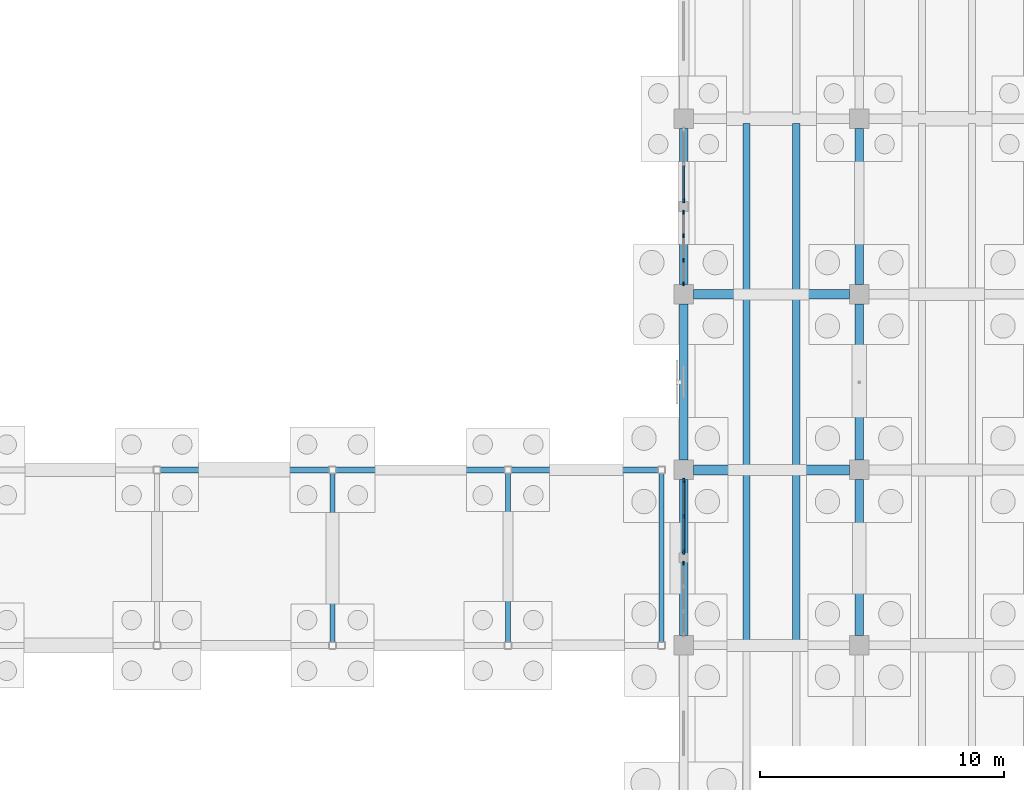
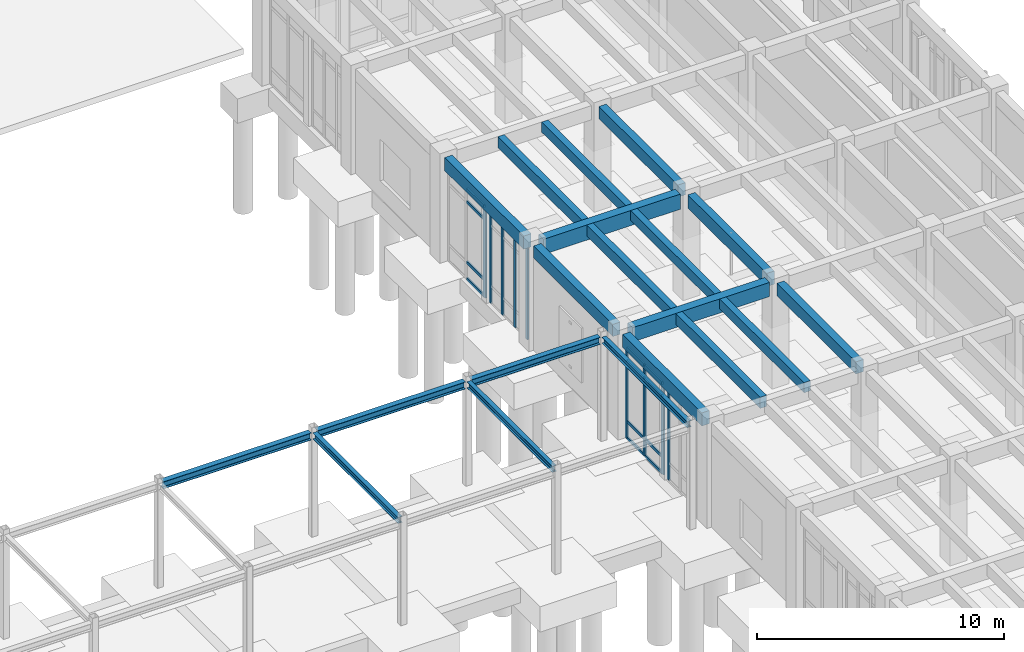
# One storey, part 39 of 93: 21 members, 20 beams, 4 elements without a shape of their own.
"""IFC4 building model written with IfcOpenShell, lengths in metres."""

from ifc_helpers import new_model, si_unit, direction, frame, origin, origin_2d, place, context, subcontext, project, spatial, rectangle, i_section, extrude, material, layer, layer_set, material_profile, profile_set, type_object, element, aggregate, save


model = new_model("IFC4")

# Units and contexts
model_context = context("Model", 3, precision=1e-05, world=origin(), true_north=direction((0.0, 1.0)))
body_context = subcontext(model_context, "Body", "Model", "MODEL_VIEW")
ifc_project = project(units=[si_unit("LENGTHUNIT", "METRE"), si_unit("AREAUNIT", "SQUARE_METRE"), si_unit("VOLUMEUNIT", "CUBIC_METRE"), si_unit("PLANEANGLEUNIT", "RADIAN"), si_unit("MASSUNIT", "GRAM", prefix="KILO")], contexts=[model_context])

# Site, building, storey
site_placement = place(None, origin())
site = spatial("IfcSite", under=ifc_project, at=site_placement, CompositionType="ELEMENT")
building_placement = place(site_placement, origin())
building = spatial("IfcBuilding", under=site, at=building_placement, Name="Koriwan Promenade Central Fire Station", CompositionType="ELEMENT")
storey_placement = place(building_placement, origin())
storey = spatial("IfcBuildingStorey", under=building, at=storey_placement, Name="L00", CompositionType="ELEMENT", Elevation=0.0)

# Beams
ifc_material_1 = material(Name="Concrete C35/45", Category="concrete")
ifc_material_profile_1 = material_profile(ifc_material_1, rectangle(XDim=0.300048828125, YDim=0.5, at=origin_2d()), Name="RC-BM-300x500")
ifc_profile_set_1 = profile_set([ifc_material_profile_1], Name="Concrete C35/45")
beam_type_1 = type_object("IfcBeamType", Name="Beam_RC-BM-300x500", PredefinedType="JOIST", material=ifc_profile_set_1)
beam_1_placement = place(storey_placement, frame((155.823974609375, 43.375, 4.89990234375), z_axis=(0.0, 1.0, 0.0), x_axis=(-1.0, 0.0, 0.0)))
element("IfcBeam", 1, at=beam_1_placement, inside=storey, type_object=beam_type_1, Name="V5 L00 secondary joist 595", PredefinedType="JOIST", context=body_context, shape_type="SweptSolid", body=[
    extrude(rectangle(XDim=0.300048828125, YDim=0.5, at=origin_2d()), origin(), (0.0, 0.0, 1.0), 6.824951171875),
])
beam_2_placement = place(storey_placement, frame((155.823974609375, 50.60009765625, 4.89990234375), z_axis=(0.0, 1.0, 0.0), x_axis=(-1.0, 0.0, 0.0)))
element("IfcBeam", 2, at=beam_2_placement, inside=storey, type_object=beam_type_1, Name="V5 L00 secondary joist 601", PredefinedType="JOIST", context=body_context, shape_type="SweptSolid", body=[
    extrude(rectangle(XDim=0.300048828125, YDim=0.5, at=origin_2d()), origin(), (0.0, 0.0, 1.0), 6.7998046875),
])
beam_3_placement = place(storey_placement, frame((155.823974609375, 57.800048828125, 4.89990234375), z_axis=(0.0, 1.0, 0.0), x_axis=(-1.0, 0.0, 0.0)))
element("IfcBeam", 3, at=beam_3_placement, inside=storey, type_object=beam_type_1, Name="V5 L00 secondary joist 607", PredefinedType="JOIST", context=body_context, shape_type="SweptSolid", body=[
    extrude(rectangle(XDim=0.300048828125, YDim=0.5, at=origin_2d()), origin(), (0.0, 0.0, 1.0), 6.800048828125),
])
ifc_material_profile_2 = material_profile(ifc_material_1, rectangle(XDim=0.300048828125, YDim=0.550048828125, at=origin_2d()), Name="RC-BM-300x550")
ifc_profile_set_2 = profile_set([ifc_material_profile_2], Name="Concrete C35/45")
beam_type_2 = type_object("IfcBeamType", Name="Beam_RC-BM-300x550", PredefinedType="JOIST", material=ifc_profile_set_2)
beam_4_placement = place(storey_placement, frame((153.77587890625, 43.375, 4.875), z_axis=(0.0, 1.0, 0.0), x_axis=(-1.0, 0.0, 0.0)))
element("IfcBeam", 4, at=beam_4_placement, inside=storey, type_object=beam_type_2, Name="V5 L00 secondary joist 594", PredefinedType="JOIST", context=body_context, shape_type="SweptSolid", body=[
    extrude(rectangle(XDim=0.300048828125, YDim=0.550048828125, at=origin_2d()), origin(), (0.0, 0.0, 1.0), 6.824951171875),
])
beam_5_placement = place(storey_placement, frame((153.77587890625, 50.60009765625, 4.875), z_axis=(0.0, 1.0, 0.0), x_axis=(-1.0, 0.0, 0.0)))
element("IfcBeam", 5, at=beam_5_placement, inside=storey, type_object=beam_type_2, Name="V5 L00 secondary joist 600", PredefinedType="JOIST", context=body_context, shape_type="SweptSolid", body=[
    extrude(rectangle(XDim=0.300048828125, YDim=0.550048828125, at=origin_2d()), origin(), (0.0, 0.0, 1.0), 6.7998046875),
])
beam_6_placement = place(storey_placement, frame((153.77587890625, 57.800048828125, 4.875), z_axis=(0.0, 1.0, 0.0), x_axis=(-1.0, 0.0, 0.0)))
element("IfcBeam", 6, at=beam_6_placement, inside=storey, type_object=beam_type_2, Name="V5 L00 secondary joist 606", PredefinedType="JOIST", context=body_context, shape_type="SweptSolid", body=[
    extrude(rectangle(XDim=0.300048828125, YDim=0.550048828125, at=origin_2d()), origin(), (0.0, 0.0, 1.0), 6.800048828125),
])
ifc_material_profile_3 = material_profile(ifc_material_1, rectangle(XDim=0.35009765625, YDim=0.60009765625, at=origin_2d()), Name="RC-BM-350x600")
ifc_profile_set_3 = profile_set([ifc_material_profile_3], Name="Concrete C35/45")
beam_type_3 = type_object("IfcBeamType", Name="Beam_RC-BM-350x600", PredefinedType="BEAM", material=ifc_profile_set_3)
for number, where, z_axis, x_axis, name in (
    (7, (151.199951171875, 50.800048828125, 4.85009765625), (0.0, 1.0, 0.0), (-1.0, 0.0, 0.0), "V5 L00 girder Y-526"),
    (8, (158.39990234375, 43.60009765625, 4.85009765625), (0.0, 1.0, 0.0), (-1.0, 0.0, 0.0), "V5 L00 girder Y-536"),
    (9, (158.39990234375, 58.0, 4.85009765625), (0.0, 1.0, 0.0), (-1.0, 0.0, 0.0), "V5 L00 girder Y-538"),
):
    element("IfcBeam", number, at=place(storey_placement, frame(where, z_axis=z_axis, x_axis=x_axis)), inside=storey, type_object=beam_type_3, Name=name, PredefinedType="BEAM", context=body_context, shape_type="SweptSolid", body=[
        extrude(rectangle(XDim=0.35009765625, YDim=0.60009765625, at=origin_2d()), origin(), (0.0, 0.0, 1.0), 6.39990234375),
    ])
ifc_material_profile_4 = material_profile(ifc_material_1, rectangle(XDim=0.35009765625, YDim=0.64990234375, at=origin_2d()), Name="RC-BM-350x650")
ifc_profile_set_4 = profile_set([ifc_material_profile_4], Name="Concrete C35/45")
beam_type_4 = type_object("IfcBeamType", Name="Beam_RC-BM-350x650", PredefinedType="BEAM", material=ifc_profile_set_4)
for number, where, z_axis, x_axis, name in (
    (10, (151.199951171875, 43.60009765625, 4.824951171875), (0.0, 1.0, 0.0), (-1.0, 0.0, 0.0), "V5 L00 girder Y-525"),
    (11, (151.199951171875, 58.0, 4.824951171875), (0.0, 1.0, 0.0), (-1.0, 0.0, 0.0), "V5 L00 girder Y-527"),
    (12, (158.39990234375, 50.800048828125, 4.824951171875), (0.0, 1.0, 0.0), (-1.0, 0.0, 0.0), "V5 L00 girder Y-537"),
):
    element("IfcBeam", number, at=place(storey_placement, frame(where, z_axis=z_axis, x_axis=x_axis)), inside=storey, type_object=beam_type_4, Name=name, PredefinedType="BEAM", context=body_context, shape_type="SweptSolid", body=[
        extrude(rectangle(XDim=0.35009765625, YDim=0.64990234375, at=origin_2d()), origin(), (0.0, 0.0, 1.0), 6.39990234375),
    ])
ifc_material_profile_5 = material_profile(ifc_material_1, rectangle(XDim=0.39990234375, YDim=0.699951171875, at=origin_2d()), Name="RC-BM-400x700")
ifc_profile_set_5 = profile_set([ifc_material_profile_5], Name="Concrete C35/45")
beam_type_5 = type_object("IfcBeamType", Name="Beam_RC-BM-400x700", PredefinedType="BEAM", material=ifc_profile_set_5)
beam_7_placement = place(storey_placement, frame((151.60009765625, 50.39990234375, 4.800048828125), z_axis=(1.0, 0.0, 0.0), x_axis=(0.0, 1.0, 0.0)))
element("IfcBeam", 13, at=beam_7_placement, inside=storey, type_object=beam_type_5, Name="V5 L00 girder X-502", PredefinedType="BEAM", context=body_context, shape_type="SweptSolid", body=[
    extrude(rectangle(XDim=0.39990234375, YDim=0.699951171875, at=origin_2d()), origin(), (0.0, 0.0, 1.0), 6.39990234375),
])
ifc_material_profile_6 = material_profile(ifc_material_1, rectangle(XDim=0.39990234375, YDim=0.75, at=origin_2d()), Name="RC-BM-400x750")
ifc_profile_set_6 = profile_set([ifc_material_profile_6], Name="Concrete C35/45")
beam_type_6 = type_object("IfcBeamType", Name="Beam_RC-BM-400x750", PredefinedType="BEAM", material=ifc_profile_set_6)
beam_8_placement = place(storey_placement, frame((151.60009765625, 57.60009765625, 4.77490234375), z_axis=(1.0, 0.0, 0.0), x_axis=(0.0, 1.0, 0.0)))
element("IfcBeam", 14, at=beam_8_placement, inside=storey, type_object=beam_type_6, Name="V5 L00 girder X-505", PredefinedType="BEAM", context=body_context, shape_type="SweptSolid", body=[
    extrude(rectangle(XDim=0.39990234375, YDim=0.75, at=origin_2d()), origin(), (0.0, 0.0, 1.0), 6.39990234375),
])

# Curtain wall, member
ifc_material_2 = material(Name="Aluminium EN AW-6063-T6 and low-E glazing", Category="aluminium")
ifc_layer_1 = layer(ifc_material_2, 0.159912109375, Name="Aluminium EN AW-6063-T6 and low-E glazing")
ifc_layer_set_1 = layer_set([ifc_layer_1], Name="Aluminium EN AW-6063-T6 and low-E glazing")
curtain_wall_type_1 = type_object("IfcCurtainWallType", Name="CurtainWall_51_300x449", PredefinedType="USERDEFINED", material=ifc_layer_set_1)
curtain_wall_1_placement = place(storey_placement, origin())
curtain_wall_1 = element("IfcCurtainWall", 15, at=curtain_wall_1_placement, inside=storey, type_object=curtain_wall_type_1, Name="V5 L00 unitised curtain wall 139", ObjectType="UNITISED CURTAIN WALL", PredefinedType="USERDEFINED")
ifc_material_3 = material(Name="Aluminium EN AW-6063-T6", Category="aluminium")
ifc_material_profile_7 = material_profile(ifc_material_3, rectangle(XDim=0.06494140625, YDim=0.159912109375, at=origin_2d()), Name="ALU-MUL-65x160")
ifc_profile_set_7 = profile_set([ifc_material_profile_7], Name="Aluminium EN AW-6063-T6")
member_type_1 = type_object("IfcMemberType", Name="CWMullion_ALU-MUL-65x160", PredefinedType="MULLION", material=ifc_profile_set_7)
member_1_placement = place(storey_placement, frame((151.199951171875, 46.5673828125, 0.0), z_axis=(0.0, 0.0, 1.0), x_axis=(-1.0, 0.0, 0.0)))
member_1 = element("IfcMember", 16, at=member_1_placement, type_object=member_type_1, Name="CW-51 mullion 4", PredefinedType="MULLION", context=body_context, shape_type="SweptSolid", body=[
    extrude(rectangle(XDim=0.06494140625, YDim=0.159912109375, at=origin_2d()), origin(), (0.0, 0.0, 1.0), 4.489990234375),
])
aggregate(curtain_wall_1, [member_1])

# Curtain wall, members
curtain_wall_2_placement = place(storey_placement, origin())
curtain_wall_2 = element("IfcCurtainWall", 17, at=curtain_wall_2_placement, inside=storey, type_object=curtain_wall_type_1, Name="V5 L00 unitised curtain wall 141", ObjectType="UNITISED CURTAIN WALL", PredefinedType="USERDEFINED")
member_2_placement = place(storey_placement, frame((151.199951171875, 58.032470703125, 0.0), z_axis=(0.0, 0.0, 1.0), x_axis=(-1.0, 0.0, 0.0)))
member_2 = element("IfcMember", 18, at=member_2_placement, type_object=member_type_1, Name="CW-51 mullion 1", PredefinedType="MULLION", context=body_context, shape_type="SweptSolid", body=[
    extrude(rectangle(XDim=0.06494140625, YDim=0.159912109375, at=origin_2d()), origin(), (0.0, 0.0, 1.0), 4.489990234375),
])
member_3_placement = place(storey_placement, frame((151.199951171875, 59.0, 0.0), z_axis=(0.0, 0.0, 1.0), x_axis=(-1.0, 0.0, 0.0)))
member_3 = element("IfcMember", 19, at=member_3_placement, type_object=member_type_1, Name="CW-51 mullion 2", PredefinedType="MULLION", context=body_context, shape_type="SweptSolid", body=[
    extrude(rectangle(XDim=0.06494140625, YDim=0.159912109375, at=origin_2d()), origin(), (0.0, 0.0, 1.0), 4.489990234375),
])
member_4_placement = place(storey_placement, frame((151.199951171875, 60.0, 0.0), z_axis=(0.0, 0.0, 1.0), x_axis=(-1.0, 0.0, 0.0)))
member_4 = element("IfcMember", 20, at=member_4_placement, type_object=member_type_1, Name="CW-51 mullion 3", PredefinedType="MULLION", context=body_context, shape_type="SweptSolid", body=[
    extrude(rectangle(XDim=0.06494140625, YDim=0.159912109375, at=origin_2d()), origin(), (0.0, 0.0, 1.0), 4.489990234375),
])
member_5_placement = place(storey_placement, frame((151.199951171875, 60.967529296875, 0.0), z_axis=(0.0, 0.0, 1.0), x_axis=(-1.0, 0.0, 0.0)))
member_5 = element("IfcMember", 21, at=member_5_placement, type_object=member_type_1, Name="CW-51 mullion 4", PredefinedType="MULLION", context=body_context, shape_type="SweptSolid", body=[
    extrude(rectangle(XDim=0.06494140625, YDim=0.159912109375, at=origin_2d()), origin(), (0.0, 0.0, 1.0), 4.489990234375),
])
aggregate(curtain_wall_2, [member_2, member_3, member_4, member_5])

ifc_layer_2 = layer(ifc_material_2, 0.159912109375, Name="Aluminium EN AW-6063-T6 and low-E glazing")
ifc_layer_set_2 = layer_set([ifc_layer_2], Name="Aluminium EN AW-6063-T6 and low-E glazing")
curtain_wall_type_2 = type_object("IfcCurtainWallType", Name="CurtainWall_52_300x449", PredefinedType="USERDEFINED", material=ifc_layer_set_2)
curtain_wall_3_placement = place(storey_placement, origin())
curtain_wall_3 = element("IfcCurtainWall", 22, at=curtain_wall_3_placement, inside=storey, type_object=curtain_wall_type_2, Name="V5 L00 unitised curtain wall 140", ObjectType="UNITISED CURTAIN WALL", PredefinedType="USERDEFINED")
ifc_material_profile_8 = material_profile(ifc_material_3, rectangle(XDim=0.074951171875, YDim=0.179931640625, at=origin_2d()), Name="ALU-MUL-75x180")
ifc_profile_set_8 = profile_set([ifc_material_profile_8], Name="Aluminium EN AW-6063-T6")
member_type_2 = type_object("IfcMemberType", Name="CWMullion_ALU-MUL-75x180", PredefinedType="MULLION", material=ifc_profile_set_8)
member_6_placement = place(storey_placement, frame((151.199951171875, 47.03759765625, 0.0), z_axis=(0.0, 0.0, 1.0), x_axis=(-1.0, 0.0, 0.0)))
member_6 = element("IfcMember", 23, at=member_6_placement, type_object=member_type_2, Name="CW-52 mullion 1", PredefinedType="MULLION", context=body_context, shape_type="SweptSolid", body=[
    extrude(rectangle(XDim=0.074951171875, YDim=0.179931640625, at=origin_2d()), origin(), (0.0, 0.0, 1.0), 4.489990234375),
])
member_7_placement = place(storey_placement, frame((151.199951171875, 48.5, 0.0), z_axis=(0.0, 0.0, 1.0), x_axis=(-1.0, 0.0, 0.0)))
member_7 = element("IfcMember", 24, at=member_7_placement, type_object=member_type_2, Name="CW-52 mullion 2", PredefinedType="MULLION", context=body_context, shape_type="SweptSolid", body=[
    extrude(rectangle(XDim=0.074951171875, YDim=0.179931640625, at=origin_2d()), origin(), (0.0, 0.0, 1.0), 4.489990234375),
])
member_8_placement = place(storey_placement, frame((151.199951171875, 49.96240234375, 0.0), z_axis=(0.0, 0.0, 1.0), x_axis=(-1.0, 0.0, 0.0)))
member_8 = element("IfcMember", 25, at=member_8_placement, type_object=member_type_2, Name="CW-52 mullion 3", PredefinedType="MULLION", context=body_context, shape_type="SweptSolid", body=[
    extrude(rectangle(XDim=0.074951171875, YDim=0.179931640625, at=origin_2d()), origin(), (0.0, 0.0, 1.0), 4.489990234375),
])

# Curtain wall, member
curtain_wall_4_placement = place(storey_placement, origin())
curtain_wall_4 = element("IfcCurtainWall", 26, at=curtain_wall_4_placement, inside=storey, type_object=curtain_wall_type_2, Name="V5 L00 unitised curtain wall 142", ObjectType="UNITISED CURTAIN WALL", PredefinedType="USERDEFINED")
member_9_placement = place(storey_placement, frame((151.199951171875, 61.4375, 0.0), z_axis=(0.0, 0.0, 1.0), x_axis=(-1.0, 0.0, 0.0)))
member_9 = element("IfcMember", 27, at=member_9_placement, type_object=member_type_2, Name="CW-52 mullion 1", PredefinedType="MULLION", context=body_context, shape_type="SweptSolid", body=[
    extrude(rectangle(XDim=0.074951171875, YDim=0.179931640625, at=origin_2d()), origin(), (0.0, 0.0, 1.0), 4.489990234375),
])

# Member
ifc_material_profile_9 = material_profile(ifc_material_3, rectangle(XDim=0.074951171875, YDim=0.139892578125, at=origin_2d()), Name="ALU-TRN-75x140")
ifc_profile_set_9 = profile_set([ifc_material_profile_9], Name="Aluminium EN AW-6063-T6")
member_type_3 = type_object("IfcMemberType", Name="CWTransom_ALU-TRN-75x140", PredefinedType="USERDEFINED", material=ifc_profile_set_9)
member_10_placement = place(storey_placement, frame((151.199951171875, 47.074951171875, 0.03759765625), z_axis=(0.0, 1.0, 0.0), x_axis=(-1.0, 0.0, 0.0)))
member_10 = element("IfcMember", 28, at=member_10_placement, type_object=member_type_3, Name="CW-52 transom 1.1", ObjectType="TRANSOM", PredefinedType="USERDEFINED", context=body_context, shape_type="SweptSolid", body=[
    extrude(rectangle(XDim=0.074951171875, YDim=0.139892578125, at=origin_2d()), origin(), (0.0, 0.0, 1.0), 1.387451171875),
])

member_11_placement = place(storey_placement, frame((151.199951171875, 47.074951171875, 0.85009765625), z_axis=(0.0, 1.0, 0.0), x_axis=(-1.0, 0.0, 0.0)))
member_11 = element("IfcMember", 29, at=member_11_placement, type_object=member_type_3, Name="CW-52 transom 1.2", ObjectType="TRANSOM", PredefinedType="USERDEFINED", context=body_context, shape_type="SweptSolid", body=[
    extrude(rectangle(XDim=0.074951171875, YDim=0.139892578125, at=origin_2d()), origin(), (0.0, 0.0, 1.0), 1.387451171875),
])

member_12_placement = place(storey_placement, frame((151.199951171875, 47.074951171875, 3.840087890625), z_axis=(0.0, 1.0, 0.0), x_axis=(-1.0, 0.0, 0.0)))
member_12 = element("IfcMember", 30, at=member_12_placement, type_object=member_type_3, Name="CW-52 transom 1.3", ObjectType="TRANSOM", PredefinedType="USERDEFINED", context=body_context, shape_type="SweptSolid", body=[
    extrude(rectangle(XDim=0.074951171875, YDim=0.139892578125, at=origin_2d()), origin(), (0.0, 0.0, 1.0), 1.387451171875),
])

member_13_placement = place(storey_placement, frame((151.199951171875, 47.074951171875, 4.452392578125), z_axis=(0.0, 1.0, 0.0), x_axis=(-1.0, 0.0, 0.0)))
member_13 = element("IfcMember", 31, at=member_13_placement, type_object=member_type_3, Name="CW-52 transom 1.4", ObjectType="TRANSOM", PredefinedType="USERDEFINED", context=body_context, shape_type="SweptSolid", body=[
    extrude(rectangle(XDim=0.074951171875, YDim=0.139892578125, at=origin_2d()), origin(), (0.0, 0.0, 1.0), 1.387451171875),
])

member_14_placement = place(storey_placement, frame((151.199951171875, 48.53759765625, 0.03759765625), z_axis=(0.0, 1.0, 0.0), x_axis=(-1.0, 0.0, 0.0)))
member_14 = element("IfcMember", 32, at=member_14_placement, type_object=member_type_3, Name="CW-52 transom 2.1", ObjectType="TRANSOM", PredefinedType="USERDEFINED", context=body_context, shape_type="SweptSolid", body=[
    extrude(rectangle(XDim=0.074951171875, YDim=0.139892578125, at=origin_2d()), origin(), (0.0, 0.0, 1.0), 1.387451171875),
])

member_15_placement = place(storey_placement, frame((151.199951171875, 48.53759765625, 0.85009765625), z_axis=(0.0, 1.0, 0.0), x_axis=(-1.0, 0.0, 0.0)))
member_15 = element("IfcMember", 33, at=member_15_placement, type_object=member_type_3, Name="CW-52 transom 2.2", ObjectType="TRANSOM", PredefinedType="USERDEFINED", context=body_context, shape_type="SweptSolid", body=[
    extrude(rectangle(XDim=0.074951171875, YDim=0.139892578125, at=origin_2d()), origin(), (0.0, 0.0, 1.0), 1.387451171875),
])

member_16_placement = place(storey_placement, frame((151.199951171875, 48.53759765625, 3.840087890625), z_axis=(0.0, 1.0, 0.0), x_axis=(-1.0, 0.0, 0.0)))
member_16 = element("IfcMember", 34, at=member_16_placement, type_object=member_type_3, Name="CW-52 transom 2.3", ObjectType="TRANSOM", PredefinedType="USERDEFINED", context=body_context, shape_type="SweptSolid", body=[
    extrude(rectangle(XDim=0.074951171875, YDim=0.139892578125, at=origin_2d()), origin(), (0.0, 0.0, 1.0), 1.387451171875),
])

member_17_placement = place(storey_placement, frame((151.199951171875, 48.53759765625, 4.452392578125), z_axis=(0.0, 1.0, 0.0), x_axis=(-1.0, 0.0, 0.0)))
member_17 = element("IfcMember", 35, at=member_17_placement, type_object=member_type_3, Name="CW-52 transom 2.4", ObjectType="TRANSOM", PredefinedType="USERDEFINED", context=body_context, shape_type="SweptSolid", body=[
    extrude(rectangle(XDim=0.074951171875, YDim=0.139892578125, at=origin_2d()), origin(), (0.0, 0.0, 1.0), 1.387451171875),
])

aggregate(curtain_wall_3, [member_6, member_7, member_8, member_10, member_11, member_12, member_13, member_14, member_15, member_16, member_17])

member_18_placement = place(storey_placement, frame((151.199951171875, 61.47509765625, 0.03759765625), z_axis=(0.0, 1.0, 0.0), x_axis=(-1.0, 0.0, 0.0)))
member_18 = element("IfcMember", 36, at=member_18_placement, type_object=member_type_3, Name="CW-52 transom 1.1", ObjectType="TRANSOM", PredefinedType="USERDEFINED", context=body_context, shape_type="SweptSolid", body=[
    extrude(rectangle(XDim=0.074951171875, YDim=0.139892578125, at=origin_2d()), origin(), (0.0, 0.0, 1.0), 1.387451171875),
])

member_19_placement = place(storey_placement, frame((151.199951171875, 61.47509765625, 0.85009765625), z_axis=(0.0, 1.0, 0.0), x_axis=(-1.0, 0.0, 0.0)))
member_19 = element("IfcMember", 37, at=member_19_placement, type_object=member_type_3, Name="CW-52 transom 1.2", ObjectType="TRANSOM", PredefinedType="USERDEFINED", context=body_context, shape_type="SweptSolid", body=[
    extrude(rectangle(XDim=0.074951171875, YDim=0.139892578125, at=origin_2d()), origin(), (0.0, 0.0, 1.0), 1.387451171875),
])

member_20_placement = place(storey_placement, frame((151.199951171875, 61.47509765625, 3.840087890625), z_axis=(0.0, 1.0, 0.0), x_axis=(-1.0, 0.0, 0.0)))
member_20 = element("IfcMember", 38, at=member_20_placement, type_object=member_type_3, Name="CW-52 transom 1.3", ObjectType="TRANSOM", PredefinedType="USERDEFINED", context=body_context, shape_type="SweptSolid", body=[
    extrude(rectangle(XDim=0.074951171875, YDim=0.139892578125, at=origin_2d()), origin(), (0.0, 0.0, 1.0), 1.387451171875),
])

member_21_placement = place(storey_placement, frame((151.199951171875, 61.47509765625, 4.452392578125), z_axis=(0.0, 1.0, 0.0), x_axis=(-1.0, 0.0, 0.0)))
member_21 = element("IfcMember", 39, at=member_21_placement, type_object=member_type_3, Name="CW-52 transom 1.4", ObjectType="TRANSOM", PredefinedType="USERDEFINED", context=body_context, shape_type="SweptSolid", body=[
    extrude(rectangle(XDim=0.074951171875, YDim=0.139892578125, at=origin_2d()), origin(), (0.0, 0.0, 1.0), 1.387451171875),
])

aggregate(curtain_wall_4, [member_9, member_18, member_19, member_20, member_21])

# Beams
ifc_material_4 = material(Name="Steel ASTM A992 Grade 50", Category="steel")
ifc_material_profile_10 = material_profile(ifc_material_4, i_section(OverallWidth=0.202880859375, OverallDepth=0.302978515625, WebThickness=0.007568359375, FlangeThickness=0.01318359375, FilletRadius=0.014892578125, at=origin_2d()), Name="W310x60")
ifc_profile_set_10 = profile_set([ifc_material_profile_10], Name="Steel ASTM A992 Grade 50")
beam_type_7 = type_object("IfcBeamType", Name="SteelBeam_W310x60", PredefinedType="JOIST", material=ifc_profile_set_10)
for number, where, z_axis, x_axis, name in (
    (40, (136.800048828125, 43.35009765625, 4.998046875), (0.0, 1.0, 0.0), (-1.0, 0.0, 0.0), "COL_CHARBAGH arcade cross beam 1141"),
    (41, (144.0, 43.35009765625, 4.998046875), (0.0, 1.0, 0.0), (-1.0, 0.0, 0.0), "COL_CHARBAGH arcade cross beam 1143"),
    (42, (150.300048828125, 43.35009765625, 4.998046875), (0.0, 1.0, 0.0), (-1.0, 0.0, 0.0), "COL_CHARBAGH arcade cross beam 1145"),
):
    element("IfcBeam", number, at=place(storey_placement, frame(where, z_axis=z_axis, x_axis=x_axis)), inside=storey, type_object=beam_type_7, Name=name, PredefinedType="JOIST", context=body_context, shape_type="SweptSolid", body=[
        extrude(i_section(OverallWidth=0.202880859375, OverallDepth=0.302978515625, WebThickness=0.007568359375, FlangeThickness=0.01318359375, FilletRadius=0.014892578125, at=origin_2d()), origin(), (0.0, 0.0, 1.0), 6.89990234375),
    ])
ifc_material_profile_11 = material_profile(ifc_material_4, i_section(OverallWidth=0.25390625, OverallDepth=0.35302734375, WebThickness=0.009521484375, FlangeThickness=0.016357421875, FilletRadius=0.014892578125, at=origin_2d()), Name="W360x91")
ifc_profile_set_11 = profile_set([ifc_material_profile_11], Name="Steel ASTM A992 Grade 50")
beam_type_8 = type_object("IfcBeamType", Name="SteelBeam_W360x91", PredefinedType="BEAM", material=ifc_profile_set_11)
beam_9_placement = place(storey_placement, frame((129.75, 50.39990234375, 4.972900390625), z_axis=(1.0, 0.0, 0.0), x_axis=(0.0, 1.0, 0.0)))
element("IfcBeam", 43, at=beam_9_placement, inside=storey, type_object=beam_type_8, Name="COL_CHARBAGH arcade beam 1129", PredefinedType="BEAM", context=body_context, shape_type="SweptSolid", body=[
    extrude(i_section(OverallWidth=0.25390625, OverallDepth=0.35302734375, WebThickness=0.009521484375, FlangeThickness=0.016357421875, FilletRadius=0.014892578125, at=origin_2d()), origin(), (0.0, 0.0, 1.0), 6.89990234375),
])
beam_10_placement = place(storey_placement, frame((136.949951171875, 50.39990234375, 4.972900390625), z_axis=(1.0, 0.0, 0.0), x_axis=(0.0, 1.0, 0.0)))
element("IfcBeam", 44, at=beam_10_placement, inside=storey, type_object=beam_type_8, Name="COL_CHARBAGH arcade beam 1131", PredefinedType="BEAM", context=body_context, shape_type="SweptSolid", body=[
    extrude(i_section(OverallWidth=0.25390625, OverallDepth=0.35302734375, WebThickness=0.009521484375, FlangeThickness=0.016357421875, FilletRadius=0.014892578125, at=origin_2d()), origin(), (0.0, 0.0, 1.0), 6.900146484375),
])
beam_11_placement = place(storey_placement, frame((144.14990234375, 50.39990234375, 4.972900390625), z_axis=(1.0, 0.0, 0.0), x_axis=(0.0, 1.0, 0.0)))
element("IfcBeam", 45, at=beam_11_placement, inside=storey, type_object=beam_type_8, Name="COL_CHARBAGH arcade beam 1133", PredefinedType="BEAM", context=body_context, shape_type="SweptSolid", body=[
    extrude(i_section(OverallWidth=0.25390625, OverallDepth=0.35302734375, WebThickness=0.009521484375, FlangeThickness=0.016357421875, FilletRadius=0.014892578125, at=origin_2d()), origin(), (0.0, 0.0, 1.0), 6.0),
])

save(model, "model.ifc")
